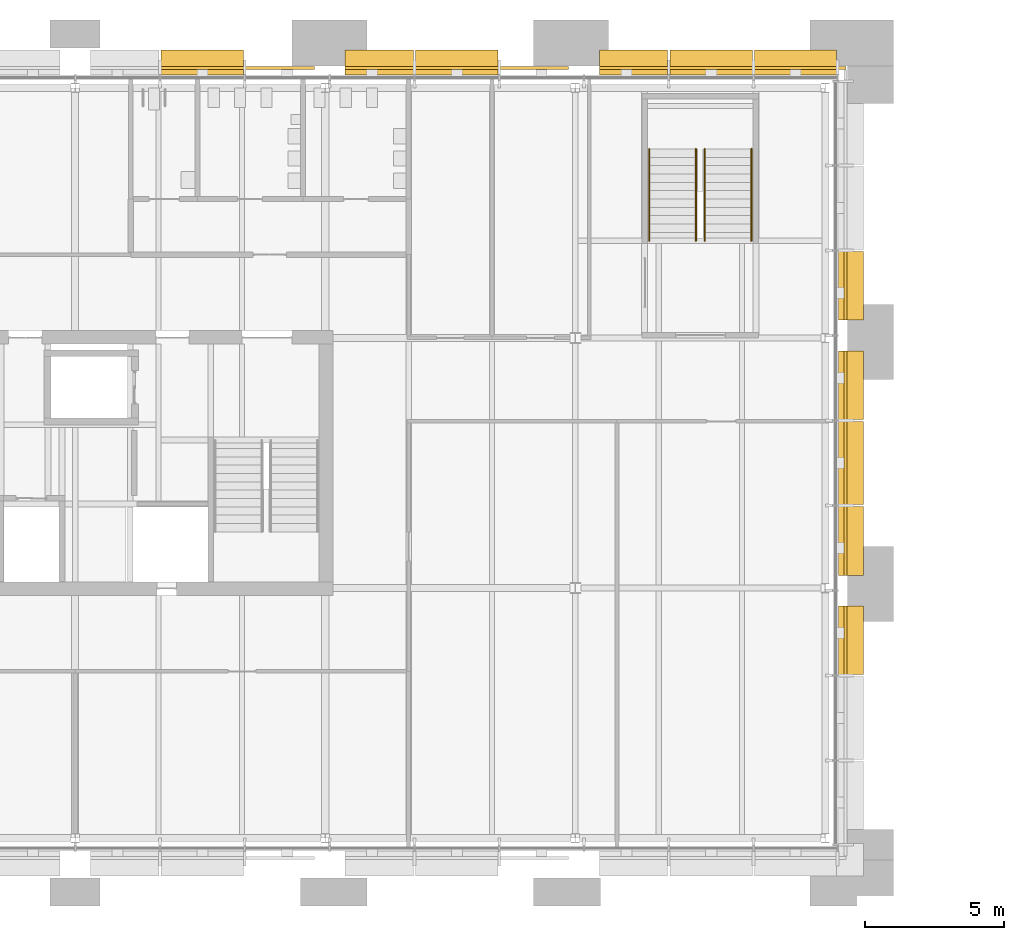
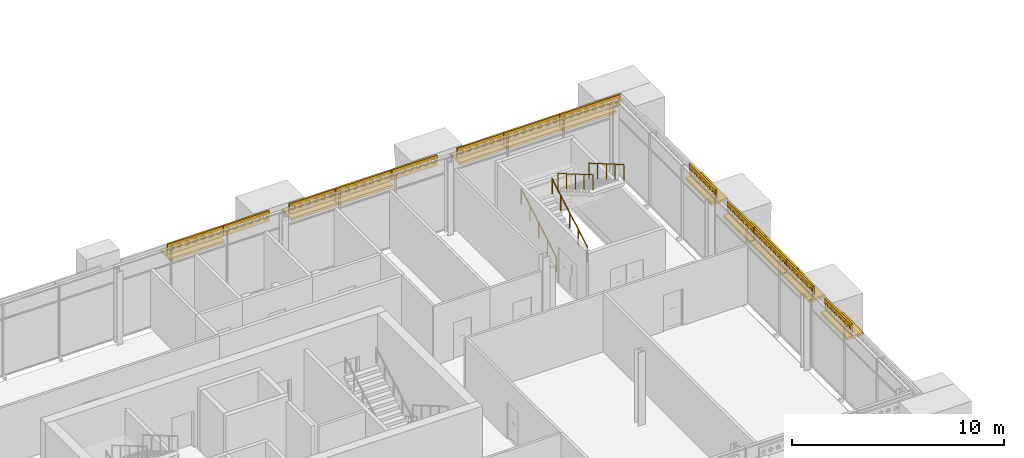
# One storey, part 34 of 37: 24 shading devices, 4 railings.
"""IFC4 building model written with IfcOpenShell, lengths in metres."""

from ifc_helpers import new_model, si_unit, direction, frame, origin, origin_2d, place, context, subcontext, project, spatial, polyline, rectangle, circle, outline, extrude, material, layer, layer_set, type_object, element, save


model = new_model("IFC4")

# Units and contexts
model_context = context("Model", 3, precision=1e-05, world=origin(), true_north=direction((0.0, 1.0)))
body_context = subcontext(model_context, "Body", "Model", "MODEL_VIEW")
ifc_project = project(units=[si_unit("LENGTHUNIT", "METRE"), si_unit("AREAUNIT", "SQUARE_METRE"), si_unit("VOLUMEUNIT", "CUBIC_METRE"), si_unit("PLANEANGLEUNIT", "RADIAN"), si_unit("MASSUNIT", "GRAM", prefix="KILO")], contexts=[model_context])

# Site, building, storey
site_placement = place(None, origin())
site = spatial("IfcSite", under=ifc_project, at=site_placement, CompositionType="ELEMENT")
building_placement = place(site_placement, origin())
building = spatial("IfcBuilding", under=site, at=building_placement, Name="Baradari Gate Terminus", CompositionType="ELEMENT")
storey_placement = place(building_placement, frame((0.0, 0.0, 24.300048828125)))
storey = spatial("IfcBuildingStorey", under=building, at=storey_placement, Name="L05", CompositionType="ELEMENT", Elevation=24.300048828125)

# Shading devices
ifc_material_1 = material(Name="Concrete C40/50 precast", Category="concrete")
ifc_layer_1 = layer(ifc_material_1, 0.14990234375)
ifc_layer_set_1 = layer_set([ifc_layer_1], Name="Concrete C40/50 precast")
shading_device_type_1 = type_object("IfcShadingDeviceType", Name="Chhajja band CJ-1 900x150", PredefinedType="AWNING", material=ifc_layer_set_1)
shading_device_1_placement = place(storey_placement, frame((40.578369140625, 144.919921875, 3.33251953125), z_axis=(0.0, 0.0, 1.0), x_axis=(1.0, 0.0, 0.0)))
element("IfcShadingDevice", 1, at=shading_device_1_placement, inside=storey, type_object=shading_device_type_1, Name="Chhajja band CJ-1 L05/TN bay 11", PredefinedType="AWNING", context=body_context, shape_type="SweptSolid", body=[
    extrude(rectangle(XDim=2.97216796875, YDim=0.89990234375, at=origin_2d()), origin(), (0.0, 0.0, 1.0), 0.14990234375),
])
shading_device_2_placement = place(storey_placement, frame((46.937744140625, 144.919921875, 3.33251953125), z_axis=(0.0, 0.0, 1.0), x_axis=(1.0, 0.0, 0.0)))
element("IfcShadingDevice", 2, at=shading_device_2_placement, inside=storey, type_object=shading_device_type_1, Name="Chhajja band CJ-1 L05/TN bay 13", PredefinedType="AWNING", context=body_context, shape_type="SweptSolid", body=[
    extrude(rectangle(XDim=2.462158203125, YDim=0.89990234375, at=origin_2d()), origin(), (0.0, 0.0, 1.0), 0.14990234375),
])
shading_device_3_placement = place(storey_placement, frame((49.735107421875, 144.919921875, 3.33251953125), z_axis=(0.0, 0.0, 1.0), x_axis=(1.0, 0.0, 0.0)))
element("IfcShadingDevice", 3, at=shading_device_3_placement, inside=storey, type_object=shading_device_type_1, Name="Chhajja band CJ-1 L05/TN bay 14", PredefinedType="AWNING", context=body_context, shape_type="SweptSolid", body=[
    extrude(rectangle(XDim=2.97216796875, YDim=0.89990234375, at=origin_2d()), origin(), (0.0, 0.0, 1.0), 0.14990234375),
])
shading_device_4_placement = place(storey_placement, frame((56.094482421875, 144.919921875, 3.33251953125), z_axis=(0.0, 0.0, 1.0), x_axis=(1.0, 0.0, 0.0)))
element("IfcShadingDevice", 4, at=shading_device_4_placement, inside=storey, type_object=shading_device_type_1, Name="Chhajja band CJ-1 L05/TN bay 16", PredefinedType="AWNING", context=body_context, shape_type="SweptSolid", body=[
    extrude(rectangle(XDim=2.462158203125, YDim=0.89990234375, at=origin_2d()), origin(), (0.0, 0.0, 1.0), 0.14990234375),
])
shading_device_5_placement = place(storey_placement, frame((58.8916015625, 144.919921875, 3.33251953125), z_axis=(0.0, 0.0, 1.0), x_axis=(1.0, 0.0, 0.0)))
element("IfcShadingDevice", 5, at=shading_device_5_placement, inside=storey, type_object=shading_device_type_1, Name="Chhajja band CJ-1 L05/TN bay 17", PredefinedType="AWNING", context=body_context, shape_type="SweptSolid", body=[
    extrude(rectangle(XDim=2.97216796875, YDim=0.89990234375, at=origin_2d()), origin(), (0.0, 0.0, 1.0), 0.14990234375),
])
shading_device_6_placement = place(storey_placement, frame((61.927734375, 144.919921875, 3.33251953125), z_axis=(0.0, 0.0, 1.0), x_axis=(1.0, 0.0, 0.0)))
element("IfcShadingDevice", 6, at=shading_device_6_placement, inside=storey, type_object=shading_device_type_1, Name="Chhajja band CJ-1 L05/TN bay 18", PredefinedType="AWNING", context=body_context, shape_type="SweptSolid", body=[
    extrude(rectangle(XDim=2.939697265625, YDim=0.89990234375, at=origin_2d()), origin(), (0.0, 0.0, 1.0), 0.14990234375),
])
for number, where, z_axis, x_axis, name in (
    (7, (63.919921875, 124.125, 3.33251953125), (0.0, 0.0, 1.0), (0.0, 1.0, 0.0), "Chhajja band CJ-1 L05/TE bay 3"),
    (8, (63.919921875, 127.695068359375, 3.33251953125), (0.0, 0.0, 1.0), (0.0, 1.0, 0.0), "Chhajja band CJ-1 L05/TE bay 4"),
):
    element("IfcShadingDevice", number, at=place(storey_placement, frame(where, z_axis=z_axis, x_axis=x_axis)), inside=storey, type_object=shading_device_type_1, Name=name, PredefinedType="AWNING", context=body_context, shape_type="SweptSolid", body=[
        extrude(rectangle(XDim=2.469970703125, YDim=0.89990234375, at=origin_2d()), origin(), (0.0, 0.0, 1.0), 0.14990234375),
    ])
shading_device_7_placement = place(storey_placement, frame((63.919921875, 130.5, 3.33251953125), z_axis=(0.0, 0.0, 1.0), x_axis=(0.0, 1.0, 0.0)))
element("IfcShadingDevice", 9, at=shading_device_7_placement, inside=storey, type_object=shading_device_type_1, Name="Chhajja band CJ-1 L05/TE bay 5", PredefinedType="AWNING", context=body_context, shape_type="SweptSolid", body=[
    extrude(rectangle(XDim=2.97998046875, YDim=0.89990234375, at=origin_2d()), origin(), (0.0, 0.0, 1.0), 0.14990234375),
])
for number, where, z_axis, x_axis, name in (
    (10, (63.919921875, 133.304931640625, 3.33251953125), (0.0, 0.0, 1.0), (0.0, 1.0, 0.0), "Chhajja band CJ-1 L05/TE bay 6"),
    (11, (63.919921875, 136.875, 3.33251953125), (0.0, 0.0, 1.0), (0.0, 1.0, 0.0), "Chhajja band CJ-1 L05/TE bay 7"),
):
    element("IfcShadingDevice", number, at=place(storey_placement, frame(where, z_axis=z_axis, x_axis=x_axis)), inside=storey, type_object=shading_device_type_1, Name=name, PredefinedType="AWNING", context=body_context, shape_type="SweptSolid", body=[
        extrude(rectangle(XDim=2.469970703125, YDim=0.89990234375, at=origin_2d()), origin(), (0.0, 0.0, 1.0), 0.14990234375),
    ])

# Railings
ifc_material_2 = material(Name="Stainless steel 1.4301", Category="steel")
railing_type = type_object("IfcRailingType", Name="Handrail HR-1 900", PredefinedType="HANDRAIL", material=ifc_material_2)
for number, where, name in (
    (12, (56.659912109375, 138.5, 0.175048828125), "Handrail ST-T3 L05 flight 1"),
    (13, (58.340087890625, 138.5, 0.175048828125), "Handrail ST-T3 L05 flight 1"),
):
    element("IfcRailing", number, at=place(storey_placement, frame(where)), inside=storey, type_object=railing_type, Name=name, PredefinedType="HANDRAIL", context=body_context, shape_type="SweptSolid", body=[
        extrude(circle(Radius=0.02392578125, at=origin_2d()), frame((0.0, 0.0, 0.8759765625), z_axis=(0.0, 0.863804395585, 0.503827317807), x_axis=(-1.0, 0.0, 0.0)), (0.0, 0.0, 1.0), 3.8203125),
        extrude(circle(Radius=0.02099609375, at=origin_2d()), origin(), (0.0, 0.0, 1.0), 0.851806640625),
        extrude(circle(Radius=0.02099609375, at=origin_2d()), frame((0.0, 0.824951171875, 0.481201171875)), (0.0, 0.0, 1.0), 0.851806640625),
        extrude(circle(Radius=0.02099609375, at=origin_2d()), frame((0.0, 1.64990234375, 0.96240234375)), (0.0, 0.0, 1.0), 0.851806640625),
        extrude(circle(Radius=0.02099609375, at=origin_2d()), frame((0.0, 2.47509765625, 1.443603515625)), (0.0, 0.0, 1.0), 0.851806640625),
        extrude(circle(Radius=0.02099609375, at=origin_2d()), frame((0.0, 3.300048828125, 1.9248046875)), (0.0, 0.0, 1.0), 0.851806640625),
    ])
for number, where, name in (
    (14, (58.659912109375, 141.800048828125, 2.27490234375), "Handrail ST-T3 L05 flight 2"),
    (15, (60.340087890625, 141.800048828125, 2.27490234375), "Handrail ST-T3 L05 flight 2"),
):
    element("IfcRailing", number, at=place(storey_placement, frame(where)), inside=storey, type_object=railing_type, Name=name, PredefinedType="HANDRAIL", context=body_context, shape_type="SweptSolid", body=[
        extrude(circle(Radius=0.02392578125, at=origin_2d()), frame((0.0, 0.0, 0.8759765625), z_axis=(0.0, -0.863776583165, 0.503874998761), x_axis=(1.0, 0.0, 0.0)), (0.0, 0.0, 1.0), 3.820556640625),
        extrude(circle(Radius=0.02099609375, at=origin_2d()), origin(), (0.0, 0.0, 1.0), 0.851806640625),
        extrude(circle(Radius=0.02099609375, at=origin_2d()), frame((0.0, -0.824951171875, 0.481201171875)), (0.0, 0.0, 1.0), 0.851806640625),
        extrude(circle(Radius=0.02099609375, at=origin_2d()), frame((0.0, -1.64990234375, 0.96240234375)), (0.0, 0.0, 1.0), 0.851806640625),
        extrude(circle(Radius=0.02099609375, at=origin_2d()), frame((0.0, -2.47509765625, 1.44384765625)), (0.0, 0.0, 1.0), 0.851806640625),
        extrude(circle(Radius=0.02099609375, at=origin_2d()), frame((0.0, -3.300048828125, 1.925048828125)), (0.0, 0.0, 1.0), 0.851806640625),
    ])

# Shading devices
ifc_material_3 = material(Name="Concrete C50/60 precast", Category="concrete")
ifc_layer_2 = layer(ifc_material_3, 0.10009765625)
ifc_layer_set_2 = layer_set([ifc_layer_2], Name="Concrete C50/60 precast")
shading_device_type_2 = type_object("IfcShadingDeviceType", Name="Jali screen panel JS-1 100", PredefinedType="SHUTTER", material=ifc_layer_set_2)
shading_device_8_placement = place(storey_placement, frame((39.072265625, 144.719970703125, 3.583740234375), z_axis=(0.0, 0.0, 1.0), x_axis=(1.0, 0.0, 0.0)))
element("IfcShadingDevice", 16, at=shading_device_8_placement, inside=storey, type_object=shading_device_type_2, Name="Jali screen panel JS-1 L05/TN bay 11", PredefinedType="SHUTTER", context=body_context, shape_type="SweptSolid", body=[
    extrude(outline(polyline([(0.0, 0.0), (3.01220703125, 0.0), (3.01220703125, 0.599853515625), (0.0, 0.599853515625), (0.0, 0.0)]), holes=[polyline([(0.34521484375, 0.300048828125), (0.2802734375, 0.187255859375), (0.150146484375, 0.187255859375), (0.085205078125, 0.300048828125), (0.150146484375, 0.41259765625), (0.2802734375, 0.41259765625), (0.34521484375, 0.300048828125)]), polyline([(0.775390625, 0.300048828125), (0.71044921875, 0.187255859375), (0.58056640625, 0.187255859375), (0.515380859375, 0.300048828125), (0.58056640625, 0.41259765625), (0.71044921875, 0.41259765625), (0.775390625, 0.300048828125)]), polyline([(1.205810546875, 0.300048828125), (1.140869140625, 0.187255859375), (1.0107421875, 0.187255859375), (0.94580078125, 0.300048828125), (1.0107421875, 0.41259765625), (1.140869140625, 0.41259765625), (1.205810546875, 0.300048828125)]), polyline([(1.63623046875, 0.300048828125), (1.571044921875, 0.187255859375), (1.441162109375, 0.187255859375), (1.376220703125, 0.300048828125), (1.441162109375, 0.41259765625), (1.571044921875, 0.41259765625), (1.63623046875, 0.300048828125)]), polyline([(2.06640625, 0.300048828125), (2.00146484375, 0.187255859375), (1.871337890625, 0.187255859375), (1.806396484375, 0.300048828125), (1.871337890625, 0.41259765625), (2.00146484375, 0.41259765625), (2.06640625, 0.300048828125)]), polyline([(2.496826171875, 0.300048828125), (2.431640625, 0.187255859375), (2.3017578125, 0.187255859375), (2.23681640625, 0.300048828125), (2.3017578125, 0.41259765625), (2.431640625, 0.41259765625), (2.496826171875, 0.300048828125)]), polyline([(2.927001953125, 0.300048828125), (2.862060546875, 0.187255859375), (2.732177734375, 0.187255859375), (2.6669921875, 0.300048828125), (2.732177734375, 0.41259765625), (2.862060546875, 0.41259765625), (2.927001953125, 0.300048828125)])]), frame((0.0, 0.050048828125, 0.0), z_axis=(0.0, -1.0, 0.0), x_axis=(1.0, 0.0, 0.0)), (0.0, 0.0, 1.0), 0.10009765625),
])
for number, where, z_axis, x_axis, name in (
    (17, (42.12451171875, 144.719970703125, 3.583740234375), (0.0, 0.0, 1.0), (1.0, 0.0, 0.0), "Jali screen panel JS-1 L05/TN bay 12"),
    (18, (45.706787109375, 144.719970703125, 3.583740234375), (0.0, 0.0, 1.0), (1.0, 0.0, 0.0), "Jali screen panel JS-1 L05/TN bay 13"),
):
    element("IfcShadingDevice", number, at=place(storey_placement, frame(where, z_axis=z_axis, x_axis=x_axis)), inside=storey, type_object=shading_device_type_2, Name=name, PredefinedType="SHUTTER", context=body_context, shape_type="SweptSolid", body=[
        extrude(outline(polyline([(0.0, 0.0), (2.482177734375, 0.0), (2.482177734375, 0.599853515625), (0.0, 0.599853515625), (0.0, 0.0)]), holes=[polyline([(0.3369140625, 0.300048828125), (0.27197265625, 0.187255859375), (0.141845703125, 0.187255859375), (0.076904296875, 0.300048828125), (0.141845703125, 0.41259765625), (0.27197265625, 0.41259765625), (0.3369140625, 0.300048828125)]), polyline([(0.75048828125, 0.300048828125), (0.685546875, 0.187255859375), (0.5556640625, 0.187255859375), (0.490478515625, 0.300048828125), (0.5556640625, 0.41259765625), (0.685546875, 0.41259765625), (0.75048828125, 0.300048828125)]), polyline([(1.164306640625, 0.300048828125), (1.099365234375, 0.187255859375), (0.96923828125, 0.187255859375), (0.904296875, 0.300048828125), (0.96923828125, 0.41259765625), (1.099365234375, 0.41259765625), (1.164306640625, 0.300048828125)]), polyline([(1.577880859375, 0.300048828125), (1.512939453125, 0.187255859375), (1.383056640625, 0.187255859375), (1.31787109375, 0.300048828125), (1.383056640625, 0.41259765625), (1.512939453125, 0.41259765625), (1.577880859375, 0.300048828125)]), polyline([(1.99169921875, 0.300048828125), (1.9267578125, 0.187255859375), (1.796630859375, 0.187255859375), (1.731689453125, 0.300048828125), (1.796630859375, 0.41259765625), (1.9267578125, 0.41259765625), (1.99169921875, 0.300048828125)]), polyline([(2.4052734375, 0.300048828125), (2.34033203125, 0.187255859375), (2.21044921875, 0.187255859375), (2.145263671875, 0.300048828125), (2.21044921875, 0.41259765625), (2.34033203125, 0.41259765625), (2.4052734375, 0.300048828125)])]), frame((0.0, 0.050048828125, 0.0), z_axis=(0.0, -1.0, 0.0), x_axis=(1.0, 0.0, 0.0)), (0.0, 0.0, 1.0), 0.10009765625),
    ])
shading_device_9_placement = place(storey_placement, frame((48.22900390625, 144.719970703125, 3.583740234375), z_axis=(0.0, 0.0, 1.0), x_axis=(1.0, 0.0, 0.0)))
element("IfcShadingDevice", 19, at=shading_device_9_placement, inside=storey, type_object=shading_device_type_2, Name="Jali screen panel JS-1 L05/TN bay 14", PredefinedType="SHUTTER", context=body_context, shape_type="SweptSolid", body=[
    extrude(outline(polyline([(0.0, 0.0), (3.01220703125, 0.0), (3.01220703125, 0.599853515625), (0.0, 0.599853515625), (0.0, 0.0)]), holes=[polyline([(0.34521484375, 0.300048828125), (0.2802734375, 0.187255859375), (0.150146484375, 0.187255859375), (0.085205078125, 0.300048828125), (0.150146484375, 0.41259765625), (0.2802734375, 0.41259765625), (0.34521484375, 0.300048828125)]), polyline([(0.775390625, 0.300048828125), (0.71044921875, 0.187255859375), (0.58056640625, 0.187255859375), (0.515380859375, 0.300048828125), (0.58056640625, 0.41259765625), (0.71044921875, 0.41259765625), (0.775390625, 0.300048828125)]), polyline([(1.205810546875, 0.300048828125), (1.140869140625, 0.187255859375), (1.0107421875, 0.187255859375), (0.94580078125, 0.300048828125), (1.0107421875, 0.41259765625), (1.140869140625, 0.41259765625), (1.205810546875, 0.300048828125)]), polyline([(1.63623046875, 0.300048828125), (1.571044921875, 0.187255859375), (1.441162109375, 0.187255859375), (1.376220703125, 0.300048828125), (1.441162109375, 0.41259765625), (1.571044921875, 0.41259765625), (1.63623046875, 0.300048828125)]), polyline([(2.06640625, 0.300048828125), (2.00146484375, 0.187255859375), (1.871337890625, 0.187255859375), (1.806396484375, 0.300048828125), (1.871337890625, 0.41259765625), (2.00146484375, 0.41259765625), (2.06640625, 0.300048828125)]), polyline([(2.496826171875, 0.300048828125), (2.431640625, 0.187255859375), (2.3017578125, 0.187255859375), (2.23681640625, 0.300048828125), (2.3017578125, 0.41259765625), (2.431640625, 0.41259765625), (2.496826171875, 0.300048828125)]), polyline([(2.927001953125, 0.300048828125), (2.862060546875, 0.187255859375), (2.732177734375, 0.187255859375), (2.6669921875, 0.300048828125), (2.732177734375, 0.41259765625), (2.862060546875, 0.41259765625), (2.927001953125, 0.300048828125)])]), frame((0.0, 0.050048828125, 0.0), z_axis=(0.0, -1.0, 0.0), x_axis=(1.0, 0.0, 0.0)), (0.0, 0.0, 1.0), 0.10009765625),
])
shading_device_10_placement = place(storey_placement, frame((51.281005859375, 144.719970703125, 3.583740234375), z_axis=(0.0, 0.0, 1.0), x_axis=(1.0, 0.0, 0.0)))
element("IfcShadingDevice", 20, at=shading_device_10_placement, inside=storey, type_object=shading_device_type_2, Name="Jali screen panel JS-1 L05/TN bay 15", PredefinedType="SHUTTER", context=body_context, shape_type="SweptSolid", body=[
    extrude(outline(polyline([(0.0, 0.0), (2.482421875, 0.0), (2.482421875, 0.599853515625), (0.0, 0.599853515625), (0.0, 0.0)]), holes=[polyline([(0.3369140625, 0.300048828125), (0.27197265625, 0.187255859375), (0.141845703125, 0.187255859375), (0.076904296875, 0.300048828125), (0.141845703125, 0.41259765625), (0.27197265625, 0.41259765625), (0.3369140625, 0.300048828125)]), polyline([(0.75048828125, 0.300048828125), (0.685546875, 0.187255859375), (0.5556640625, 0.187255859375), (0.490478515625, 0.300048828125), (0.5556640625, 0.41259765625), (0.685546875, 0.41259765625), (0.75048828125, 0.300048828125)]), polyline([(1.164306640625, 0.300048828125), (1.099365234375, 0.187255859375), (0.96923828125, 0.187255859375), (0.904296875, 0.300048828125), (0.96923828125, 0.41259765625), (1.099365234375, 0.41259765625), (1.164306640625, 0.300048828125)]), polyline([(1.577880859375, 0.300048828125), (1.512939453125, 0.187255859375), (1.383056640625, 0.187255859375), (1.31787109375, 0.300048828125), (1.383056640625, 0.41259765625), (1.512939453125, 0.41259765625), (1.577880859375, 0.300048828125)]), polyline([(1.99169921875, 0.300048828125), (1.9267578125, 0.187255859375), (1.796630859375, 0.187255859375), (1.731689453125, 0.300048828125), (1.796630859375, 0.41259765625), (1.9267578125, 0.41259765625), (1.99169921875, 0.300048828125)]), polyline([(2.4052734375, 0.300048828125), (2.34033203125, 0.187255859375), (2.21044921875, 0.187255859375), (2.145263671875, 0.300048828125), (2.21044921875, 0.41259765625), (2.34033203125, 0.41259765625), (2.4052734375, 0.300048828125)])]), frame((0.0, 0.050048828125, 0.0), z_axis=(0.0, -1.0, 0.0), x_axis=(1.0, 0.0, 0.0)), (0.0, 0.0, 1.0), 0.10009765625),
])
shading_device_11_placement = place(storey_placement, frame((54.86328125, 144.719970703125, 3.583740234375), z_axis=(0.0, 0.0, 1.0), x_axis=(1.0, 0.0, 0.0)))
element("IfcShadingDevice", 21, at=shading_device_11_placement, inside=storey, type_object=shading_device_type_2, Name="Jali screen panel JS-1 L05/TN bay 16", PredefinedType="SHUTTER", context=body_context, shape_type="SweptSolid", body=[
    extrude(outline(polyline([(0.0, 0.0), (2.482177734375, 0.0), (2.482177734375, 0.599853515625), (0.0, 0.599853515625), (0.0, 0.0)]), holes=[polyline([(0.3369140625, 0.300048828125), (0.27197265625, 0.187255859375), (0.141845703125, 0.187255859375), (0.076904296875, 0.300048828125), (0.141845703125, 0.41259765625), (0.27197265625, 0.41259765625), (0.3369140625, 0.300048828125)]), polyline([(0.75048828125, 0.300048828125), (0.685546875, 0.187255859375), (0.5556640625, 0.187255859375), (0.490478515625, 0.300048828125), (0.5556640625, 0.41259765625), (0.685546875, 0.41259765625), (0.75048828125, 0.300048828125)]), polyline([(1.164306640625, 0.300048828125), (1.099365234375, 0.187255859375), (0.96923828125, 0.187255859375), (0.904296875, 0.300048828125), (0.96923828125, 0.41259765625), (1.099365234375, 0.41259765625), (1.164306640625, 0.300048828125)]), polyline([(1.577880859375, 0.300048828125), (1.512939453125, 0.187255859375), (1.383056640625, 0.187255859375), (1.31787109375, 0.300048828125), (1.383056640625, 0.41259765625), (1.512939453125, 0.41259765625), (1.577880859375, 0.300048828125)]), polyline([(1.99169921875, 0.300048828125), (1.9267578125, 0.187255859375), (1.796630859375, 0.187255859375), (1.731689453125, 0.300048828125), (1.796630859375, 0.41259765625), (1.9267578125, 0.41259765625), (1.99169921875, 0.300048828125)]), polyline([(2.4052734375, 0.300048828125), (2.34033203125, 0.187255859375), (2.21044921875, 0.187255859375), (2.145263671875, 0.300048828125), (2.21044921875, 0.41259765625), (2.34033203125, 0.41259765625), (2.4052734375, 0.300048828125)])]), frame((0.0, 0.050048828125, 0.0), z_axis=(0.0, -1.0, 0.0), x_axis=(1.0, 0.0, 0.0)), (0.0, 0.0, 1.0), 0.10009765625),
])
shading_device_12_placement = place(storey_placement, frame((57.385498046875, 144.719970703125, 3.583740234375), z_axis=(0.0, 0.0, 1.0), x_axis=(1.0, 0.0, 0.0)))
element("IfcShadingDevice", 22, at=shading_device_12_placement, inside=storey, type_object=shading_device_type_2, Name="Jali screen panel JS-1 L05/TN bay 17", PredefinedType="SHUTTER", context=body_context, shape_type="SweptSolid", body=[
    extrude(outline(polyline([(0.0, 0.0), (3.01220703125, 0.0), (3.01220703125, 0.599853515625), (0.0, 0.599853515625), (0.0, 0.0)]), holes=[polyline([(0.34521484375, 0.300048828125), (0.2802734375, 0.187255859375), (0.150146484375, 0.187255859375), (0.085205078125, 0.300048828125), (0.150146484375, 0.41259765625), (0.2802734375, 0.41259765625), (0.34521484375, 0.300048828125)]), polyline([(0.775390625, 0.300048828125), (0.71044921875, 0.187255859375), (0.58056640625, 0.187255859375), (0.515380859375, 0.300048828125), (0.58056640625, 0.41259765625), (0.71044921875, 0.41259765625), (0.775390625, 0.300048828125)]), polyline([(1.205810546875, 0.300048828125), (1.140869140625, 0.187255859375), (1.0107421875, 0.187255859375), (0.94580078125, 0.300048828125), (1.0107421875, 0.41259765625), (1.140869140625, 0.41259765625), (1.205810546875, 0.300048828125)]), polyline([(1.63623046875, 0.300048828125), (1.571044921875, 0.187255859375), (1.441162109375, 0.187255859375), (1.376220703125, 0.300048828125), (1.441162109375, 0.41259765625), (1.571044921875, 0.41259765625), (1.63623046875, 0.300048828125)]), polyline([(2.06640625, 0.300048828125), (2.00146484375, 0.187255859375), (1.871337890625, 0.187255859375), (1.806396484375, 0.300048828125), (1.871337890625, 0.41259765625), (2.00146484375, 0.41259765625), (2.06640625, 0.300048828125)]), polyline([(2.496826171875, 0.300048828125), (2.431640625, 0.187255859375), (2.3017578125, 0.187255859375), (2.23681640625, 0.300048828125), (2.3017578125, 0.41259765625), (2.431640625, 0.41259765625), (2.496826171875, 0.300048828125)]), polyline([(2.927001953125, 0.300048828125), (2.862060546875, 0.187255859375), (2.732177734375, 0.187255859375), (2.6669921875, 0.300048828125), (2.732177734375, 0.41259765625), (2.862060546875, 0.41259765625), (2.927001953125, 0.300048828125)])]), frame((0.0, 0.050048828125, 0.0), z_axis=(0.0, -1.0, 0.0), x_axis=(1.0, 0.0, 0.0)), (0.0, 0.0, 1.0), 0.10009765625),
])
shading_device_13_placement = place(storey_placement, frame((60.437744140625, 144.719970703125, 3.583740234375), z_axis=(0.0, 0.0, 1.0), x_axis=(1.0, 0.0, 0.0)))
element("IfcShadingDevice", 23, at=shading_device_13_placement, inside=storey, type_object=shading_device_type_2, Name="Jali screen panel JS-1 L05/TN bay 18", PredefinedType="SHUTTER", context=body_context, shape_type="SweptSolid", body=[
    extrude(outline(polyline([(0.0, 0.0), (3.2998046875, 0.0), (3.2998046875, 0.599853515625), (0.0, 0.599853515625), (0.0, 0.0)]), holes=[polyline([(0.336181640625, 0.300048828125), (0.271240234375, 0.187255859375), (0.14111328125, 0.187255859375), (0.076171875, 0.300048828125), (0.14111328125, 0.41259765625), (0.271240234375, 0.41259765625), (0.336181640625, 0.300048828125)]), polyline([(0.748779296875, 0.300048828125), (0.68359375, 0.187255859375), (0.5537109375, 0.187255859375), (0.48876953125, 0.300048828125), (0.5537109375, 0.41259765625), (0.68359375, 0.41259765625), (0.748779296875, 0.300048828125)]), polyline([(1.1611328125, 0.300048828125), (1.09619140625, 0.187255859375), (0.966064453125, 0.187255859375), (0.901123046875, 0.300048828125), (0.966064453125, 0.41259765625), (1.09619140625, 0.41259765625), (1.1611328125, 0.300048828125)]), polyline([(1.57373046875, 0.300048828125), (1.508544921875, 0.187255859375), (1.378662109375, 0.187255859375), (1.313720703125, 0.300048828125), (1.378662109375, 0.41259765625), (1.508544921875, 0.41259765625), (1.57373046875, 0.300048828125)]), polyline([(1.986083984375, 0.300048828125), (1.921142578125, 0.187255859375), (1.791015625, 0.187255859375), (1.72607421875, 0.300048828125), (1.791015625, 0.41259765625), (1.921142578125, 0.41259765625), (1.986083984375, 0.300048828125)]), polyline([(2.3984375, 0.300048828125), (2.33349609375, 0.187255859375), (2.20361328125, 0.187255859375), (2.138671875, 0.300048828125), (2.20361328125, 0.41259765625), (2.33349609375, 0.41259765625), (2.3984375, 0.300048828125)]), polyline([(2.81103515625, 0.300048828125), (2.74609375, 0.187255859375), (2.615966796875, 0.187255859375), (2.551025390625, 0.300048828125), (2.615966796875, 0.41259765625), (2.74609375, 0.41259765625), (2.81103515625, 0.300048828125)]), polyline([(3.223388671875, 0.300048828125), (3.158447265625, 0.187255859375), (3.028564453125, 0.187255859375), (2.96337890625, 0.300048828125), (3.028564453125, 0.41259765625), (3.158447265625, 0.41259765625), (3.223388671875, 0.300048828125)])]), frame((0.0, 0.050048828125, 0.0), z_axis=(0.0, -1.0, 0.0), x_axis=(1.0, 0.0, 0.0)), (0.0, 0.0, 1.0), 0.10009765625),
])
for number, where, z_axis, x_axis, name in (
    (24, (63.719970703125, 122.8701171875, 3.583740234375), (0.0, 0.0, 1.0), (0.0, 1.0, 0.0), "Jali screen panel JS-1 L05/TE bay 3"),
    (25, (63.719970703125, 126.4599609375, 3.583740234375), (0.0, 0.0, 1.0), (0.0, 1.0, 0.0), "Jali screen panel JS-1 L05/TE bay 4"),
):
    element("IfcShadingDevice", number, at=place(storey_placement, frame(where, z_axis=z_axis, x_axis=x_axis)), inside=storey, type_object=shading_device_type_2, Name=name, PredefinedType="SHUTTER", context=body_context, shape_type="SweptSolid", body=[
        extrude(outline(polyline([(0.0, 0.0), (2.489990234375, 0.0), (2.489990234375, 0.599853515625), (0.0, 0.599853515625), (0.0, 0.0)]), holes=[polyline([(0.33740234375, 0.300048828125), (0.2724609375, 0.187255859375), (0.142578125, 0.187255859375), (0.077392578125, 0.300048828125), (0.142578125, 0.41259765625), (0.2724609375, 0.41259765625), (0.33740234375, 0.300048828125)]), polyline([(0.75244140625, 0.300048828125), (0.6875, 0.187255859375), (0.5576171875, 0.187255859375), (0.492431640625, 0.300048828125), (0.5576171875, 0.41259765625), (0.6875, 0.41259765625), (0.75244140625, 0.300048828125)]), polyline([(1.16748046875, 0.300048828125), (1.1025390625, 0.187255859375), (0.972412109375, 0.187255859375), (0.907470703125, 0.300048828125), (0.972412109375, 0.41259765625), (1.1025390625, 0.41259765625), (1.16748046875, 0.300048828125)]), polyline([(1.58251953125, 0.300048828125), (1.517578125, 0.187255859375), (1.387451171875, 0.187255859375), (1.322509765625, 0.300048828125), (1.387451171875, 0.41259765625), (1.517578125, 0.41259765625), (1.58251953125, 0.300048828125)]), polyline([(1.99755859375, 0.300048828125), (1.9326171875, 0.187255859375), (1.802490234375, 0.187255859375), (1.737548828125, 0.300048828125), (1.802490234375, 0.41259765625), (1.9326171875, 0.41259765625), (1.99755859375, 0.300048828125)]), polyline([(2.41259765625, 0.300048828125), (2.347412109375, 0.187255859375), (2.217529296875, 0.187255859375), (2.152587890625, 0.300048828125), (2.217529296875, 0.41259765625), (2.347412109375, 0.41259765625), (2.41259765625, 0.300048828125)])]), frame((0.0, 0.050048828125, 0.0), z_axis=(0.0, -1.0, 0.0), x_axis=(1.0, 0.0, 0.0)), (0.0, 0.0, 1.0), 0.10009765625),
    ])
shading_device_14_placement = place(storey_placement, frame((63.719970703125, 128.989990234375, 3.583740234375), z_axis=(0.0, 0.0, 1.0), x_axis=(0.0, 1.0, 0.0)))
element("IfcShadingDevice", 26, at=shading_device_14_placement, inside=storey, type_object=shading_device_type_2, Name="Jali screen panel JS-1 L05/TE bay 5", PredefinedType="SHUTTER", context=body_context, shape_type="SweptSolid", body=[
    extrude(outline(polyline([(0.0, 0.0), (3.02001953125, 0.0), (3.02001953125, 0.599853515625), (0.0, 0.599853515625), (0.0, 0.0)]), holes=[polyline([(0.345703125, 0.300048828125), (0.28076171875, 0.187255859375), (0.150634765625, 0.187255859375), (0.085693359375, 0.300048828125), (0.150634765625, 0.41259765625), (0.28076171875, 0.41259765625), (0.345703125, 0.300048828125)]), polyline([(0.777099609375, 0.300048828125), (0.712158203125, 0.187255859375), (0.58203125, 0.187255859375), (0.51708984375, 0.300048828125), (0.58203125, 0.41259765625), (0.712158203125, 0.41259765625), (0.777099609375, 0.300048828125)]), polyline([(1.20849609375, 0.300048828125), (1.1435546875, 0.187255859375), (1.013671875, 0.187255859375), (0.948486328125, 0.300048828125), (1.013671875, 0.41259765625), (1.1435546875, 0.41259765625), (1.20849609375, 0.300048828125)]), polyline([(1.639892578125, 0.300048828125), (1.574951171875, 0.187255859375), (1.445068359375, 0.187255859375), (1.3798828125, 0.300048828125), (1.445068359375, 0.41259765625), (1.574951171875, 0.41259765625), (1.639892578125, 0.300048828125)]), polyline([(2.071533203125, 0.300048828125), (2.00634765625, 0.187255859375), (1.87646484375, 0.187255859375), (1.8115234375, 0.300048828125), (1.87646484375, 0.41259765625), (2.00634765625, 0.41259765625), (2.071533203125, 0.300048828125)]), polyline([(2.5029296875, 0.300048828125), (2.437744140625, 0.187255859375), (2.307861328125, 0.187255859375), (2.242919921875, 0.300048828125), (2.307861328125, 0.41259765625), (2.437744140625, 0.41259765625), (2.5029296875, 0.300048828125)]), polyline([(2.934326171875, 0.300048828125), (2.869384765625, 0.187255859375), (2.7392578125, 0.187255859375), (2.67431640625, 0.300048828125), (2.7392578125, 0.41259765625), (2.869384765625, 0.41259765625), (2.934326171875, 0.300048828125)])]), frame((0.0, 0.050048828125, 0.0), z_axis=(0.0, -1.0, 0.0), x_axis=(1.0, 0.0, 0.0)), (0.0, 0.0, 1.0), 0.10009765625),
])
for number, where, z_axis, x_axis, name in (
    (27, (63.719970703125, 132.050048828125, 3.583740234375), (0.0, 0.0, 1.0), (0.0, 1.0, 0.0), "Jali screen panel JS-1 L05/TE bay 6"),
    (28, (63.719970703125, 135.639892578125, 3.583740234375), (0.0, 0.0, 1.0), (0.0, 1.0, 0.0), "Jali screen panel JS-1 L05/TE bay 7"),
):
    element("IfcShadingDevice", number, at=place(storey_placement, frame(where, z_axis=z_axis, x_axis=x_axis)), inside=storey, type_object=shading_device_type_2, Name=name, PredefinedType="SHUTTER", context=body_context, shape_type="SweptSolid", body=[
        extrude(outline(polyline([(0.0, 0.0), (2.489990234375, 0.0), (2.489990234375, 0.599853515625), (0.0, 0.599853515625), (0.0, 0.0)]), holes=[polyline([(0.33740234375, 0.300048828125), (0.2724609375, 0.187255859375), (0.142578125, 0.187255859375), (0.077392578125, 0.300048828125), (0.142578125, 0.41259765625), (0.2724609375, 0.41259765625), (0.33740234375, 0.300048828125)]), polyline([(0.75244140625, 0.300048828125), (0.6875, 0.187255859375), (0.5576171875, 0.187255859375), (0.492431640625, 0.300048828125), (0.5576171875, 0.41259765625), (0.6875, 0.41259765625), (0.75244140625, 0.300048828125)]), polyline([(1.16748046875, 0.300048828125), (1.1025390625, 0.187255859375), (0.972412109375, 0.187255859375), (0.907470703125, 0.300048828125), (0.972412109375, 0.41259765625), (1.1025390625, 0.41259765625), (1.16748046875, 0.300048828125)]), polyline([(1.58251953125, 0.300048828125), (1.517578125, 0.187255859375), (1.387451171875, 0.187255859375), (1.322509765625, 0.300048828125), (1.387451171875, 0.41259765625), (1.517578125, 0.41259765625), (1.58251953125, 0.300048828125)]), polyline([(1.99755859375, 0.300048828125), (1.9326171875, 0.187255859375), (1.802490234375, 0.187255859375), (1.737548828125, 0.300048828125), (1.802490234375, 0.41259765625), (1.9326171875, 0.41259765625), (1.99755859375, 0.300048828125)]), polyline([(2.41259765625, 0.300048828125), (2.347412109375, 0.187255859375), (2.217529296875, 0.187255859375), (2.152587890625, 0.300048828125), (2.217529296875, 0.41259765625), (2.347412109375, 0.41259765625), (2.41259765625, 0.300048828125)])]), frame((0.0, 0.050048828125, 0.0), z_axis=(0.0, -1.0, 0.0), x_axis=(1.0, 0.0, 0.0)), (0.0, 0.0, 1.0), 0.10009765625),
    ])

save(model, "model.ifc")
